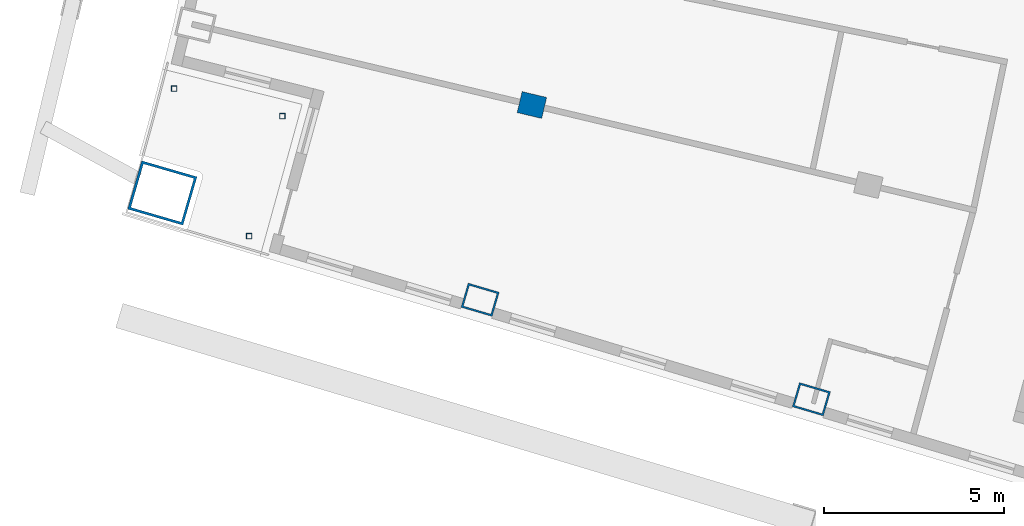
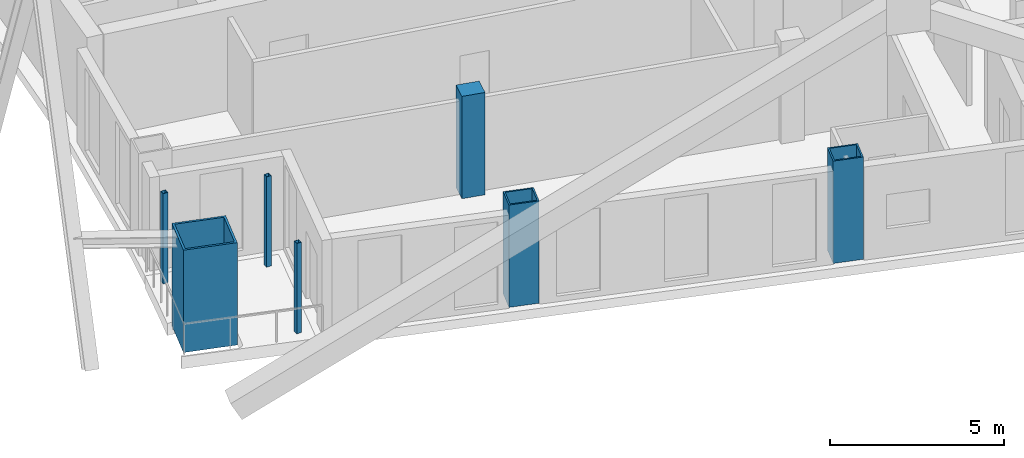
# One storey, part 1 of 16: 7 columns.
"""IFC4 building model written with IfcOpenShell, lengths in metres."""

from ifc_helpers import new_model, si_unit, direction, frame, origin, origin_2d, place, context, subcontext, project, spatial, rectangle, hollow_rectangle, extrude, material, material_profile, profile_set, type_object, element, save


model = new_model("IFC4")

# Units and contexts
model_context = context("Model", 3, precision=1e-05, world=origin(), true_north=direction((0.0, 1.0)))
body_context = subcontext(model_context, "Body", "Model", "MODEL_VIEW")
ifc_project = project(units=[si_unit("LENGTHUNIT", "METRE"), si_unit("AREAUNIT", "SQUARE_METRE"), si_unit("VOLUMEUNIT", "CUBIC_METRE"), si_unit("PLANEANGLEUNIT", "RADIAN"), si_unit("MASSUNIT", "GRAM", prefix="KILO")], contexts=[model_context])

# Site, building, storey
site_placement = place(None, origin())
site = spatial("IfcSite", under=ifc_project, at=site_placement, CompositionType="ELEMENT")
building_placement = place(site_placement, origin())
building = spatial("IfcBuilding", under=site, at=building_placement, Name="Alderwake Tower", CompositionType="ELEMENT")
storey_placement = place(building_placement, frame((0.0, 0.0, 245.60009765625)))
storey = spatial("IfcBuildingStorey", under=building, at=storey_placement, Name="L60", CompositionType="ELEMENT", Elevation=245.60009765625)

# Columns
ifc_material_1 = material(Name="Steel ASTM A572 Grade 50 concrete filled C70/85", Category="concrete")
ifc_material_profile_1 = material_profile(ifc_material_1, hollow_rectangle(XDim=0.699951171875, YDim=0.89990234375, WallThickness=0.050048828125, at=origin_2d()), Name="BOX 900X700X50")
ifc_profile_set_1 = profile_set([ifc_material_profile_1], Name="Steel ASTM A572 Grade 50 concrete filled C70/85")
column_type_1 = type_object("IfcColumnType", Name="End column Z5", PredefinedType="COLUMN", material=ifc_profile_set_1)
for number, where, z_axis, x_axis, name in (
    (1, (21.885498046875, 31.03759765625, 0.0), (0.0, 0.0, 1.0), (0.282132160283, 0.95937554906, 0.0), "Column R02-C1"),
    (2, (31.080322265625, 28.27685546875, 0.0), (0.0, 0.0, 1.0), (0.282582549822, 0.959242984095, 0.0), "Column R02-C2"),
):
    element("IfcColumn", number, at=place(storey_placement, frame(where, z_axis=z_axis, x_axis=x_axis)), inside=storey, type_object=column_type_1, Name=name, PredefinedType="COLUMN", context=body_context, shape_type="SweptSolid", body=[
        extrude(hollow_rectangle(XDim=0.699951171875, YDim=0.89990234375, WallThickness=0.050048828125, at=origin_2d()), origin(), (0.0, 0.0, 1.0), 3.599853515625),
    ])
ifc_material_2 = material(Name="Concrete C70/85", Category="concrete")
ifc_material_profile_2 = material_profile(ifc_material_2, rectangle(XDim=0.60009765625, YDim=0.699951171875, at=origin_2d()), Name="RC 700X600")
ifc_profile_set_2 = profile_set([ifc_material_profile_2], Name="Concrete C70/85")
column_type_2 = type_object("IfcColumnType", Name="Interior column Z5", PredefinedType="COLUMN", material=ifc_profile_set_2)
column_1_placement = place(storey_placement, frame((23.322021484375, 36.444091796875, 0.0), z_axis=(0.0, 0.0, 1.0), x_axis=(0.231221547198, 0.972901123502, 0.0)))
element("IfcColumn", 3, at=column_1_placement, inside=storey, type_object=column_type_2, Name="Column R03-C1", PredefinedType="COLUMN", context=body_context, shape_type="SweptSolid", body=[
    extrude(rectangle(XDim=0.60009765625, YDim=0.699951171875, at=origin_2d()), origin(), (0.0, 0.0, 1.0), 3.599853515625),
])
ifc_material_3 = material(Name="Steel ASTM A500 Grade C", Category="steel")
ifc_material_profile_3 = material_profile(ifc_material_3, hollow_rectangle(XDim=0.15234375, YDim=0.15234375, WallThickness=0.0087890625, at=origin_2d()), Name="HSS6X6X3/8")
ifc_profile_set_3 = profile_set([ifc_material_profile_3], Name="Steel ASTM A500 Grade C")
column_type_3 = type_object("IfcColumnType", Name="Light post HSS6X6X3/8", PredefinedType="COLUMN", material=ifc_profile_set_3)
for number, where, z_axis, x_axis, name in (
    (4, (13.3896484375, 36.896484375, 0.0), (0.0, 0.0, 1.0), (1.0, 0.0, 0.0), "Terrace post RS1"),
    (5, (15.47412109375, 32.805908203125, 0.0), (0.0, 0.0, 1.0), (1.0, 0.0, 0.0), "Terrace post RS2"),
    (6, (16.39501953125, 36.135986328125, 0.0), (0.0, 0.0, 1.0), (1.0, 0.0, 0.0), "Terrace post RS3"),
):
    element("IfcColumn", number, at=place(storey_placement, frame(where, z_axis=z_axis, x_axis=x_axis)), inside=storey, type_object=column_type_3, Name=name, PredefinedType="COLUMN", context=body_context, shape_type="SweptSolid", body=[
        extrude(hollow_rectangle(XDim=0.15234375, YDim=0.15234375, WallThickness=0.0087890625, at=origin_2d()), origin(), (0.0, 0.0, 1.0), 3.179931640625),
    ])
ifc_material_4 = material(Name="Steel ASTM A572 Grade 50 concrete filled C70/85", Category="concrete")
ifc_material_profile_4 = material_profile(ifc_material_4, hollow_rectangle(XDim=1.39990234375, YDim=1.60009765625, WallThickness=0.070068359375, at=origin_2d()), Name="BOX 1600X1400X70")
ifc_profile_set_4 = profile_set([ifc_material_profile_4], Name="Steel ASTM A572 Grade 50 concrete filled C70/85")
column_type_4 = type_object("IfcColumnType", Name="Mega column Z5", PredefinedType="COLUMN", material=ifc_profile_set_4)
column_2_placement = place(storey_placement, frame((13.06298828125, 34.00244140625, 0.0), z_axis=(0.0, 0.0, 1.0), x_axis=(0.278612301868, 0.960403657452, 0.0)))
element("IfcColumn", 7, at=column_2_placement, inside=storey, type_object=column_type_4, Name="Column R02-C0", PredefinedType="COLUMN", context=body_context, shape_type="SweptSolid", body=[
    extrude(hollow_rectangle(XDim=1.39990234375, YDim=1.60009765625, WallThickness=0.070068359375, at=origin_2d()), origin(), (0.0, 0.0, 1.0), 3.599853515625),
])

save(model, "model.ifc")
